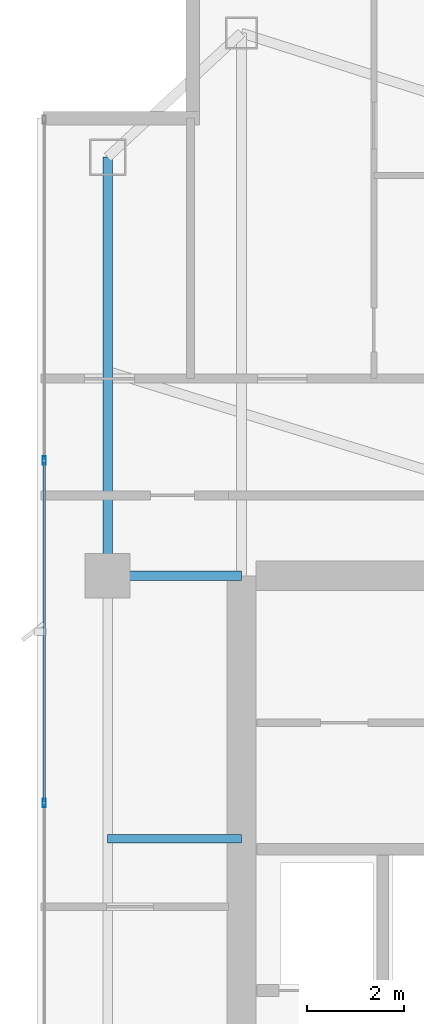
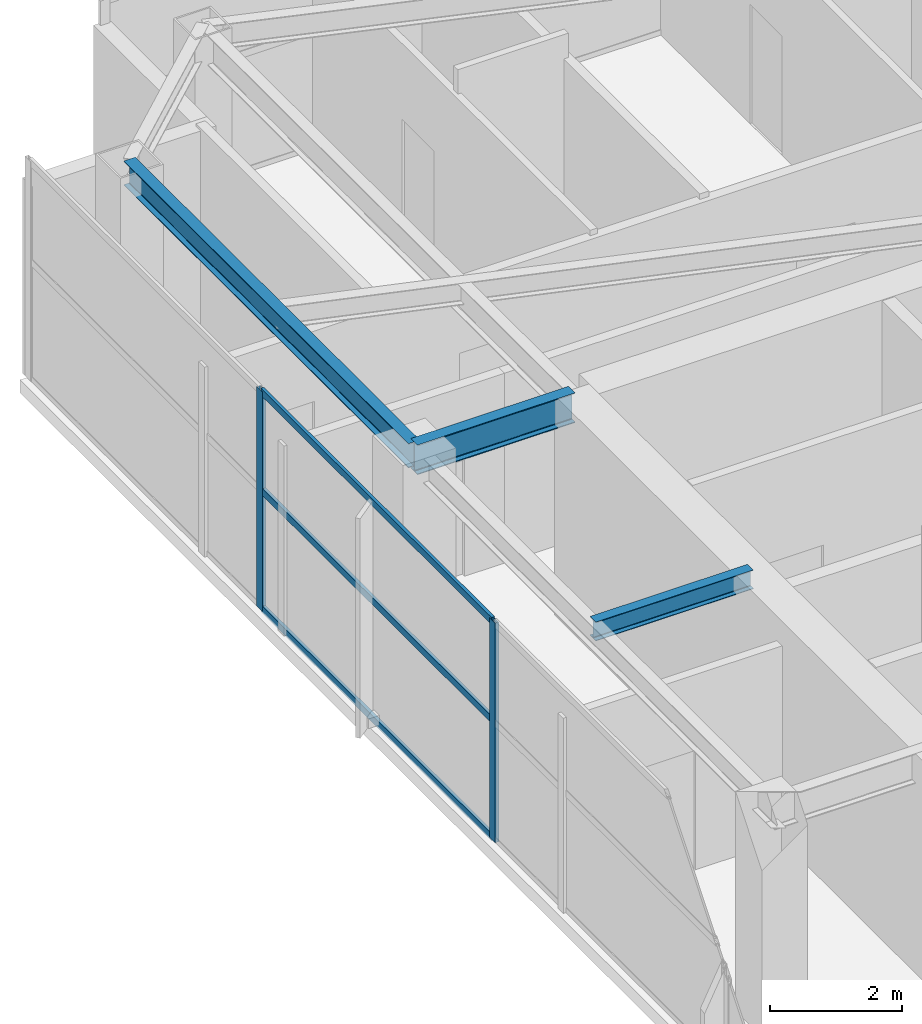
# One storey, part 15 of 26: 5 members, 3 beams, 1 element without a shape of its own.
"""IFC4 building model written with IfcOpenShell, lengths in metres."""

from ifc_helpers import new_model, si_unit, direction, frame, origin, origin_2d, place, context, subcontext, project, spatial, hollow_rectangle, i_section, extrude, material, layer, layer_set, material_profile, profile_set, type_object, element, aggregate, save


model = new_model("IFC4")

# Units and contexts
model_context = context("Model", 3, precision=1e-05, world=origin(), true_north=direction((0.0, 1.0)))
body_context = subcontext(model_context, "Body", "Model", "MODEL_VIEW")
ifc_project = project(units=[si_unit("LENGTHUNIT", "METRE"), si_unit("AREAUNIT", "SQUARE_METRE"), si_unit("VOLUMEUNIT", "CUBIC_METRE"), si_unit("PLANEANGLEUNIT", "RADIAN"), si_unit("MASSUNIT", "GRAM", prefix="KILO")], contexts=[model_context])

# Site, building, storey
site_placement = place(None, origin())
site = spatial("IfcSite", under=ifc_project, at=site_placement, CompositionType="ELEMENT")
building_placement = place(site_placement, origin())
building = spatial("IfcBuilding", under=site, at=building_placement, Name="Calvorn Quay Hotel", CompositionType="ELEMENT")
storey_placement = place(building_placement, frame((0.0, 0.0, 302.5)))
storey = spatial("IfcBuildingStorey", under=building, at=storey_placement, Name="L75", CompositionType="ELEMENT", Elevation=302.5)

# Beams
ifc_material_1 = material(Name="Steel Q355B", Category="steel")
ifc_material_profile_1 = material_profile(ifc_material_1, i_section(OverallWidth=0.199951171875, OverallDepth=0.550048828125, WebThickness=0.010009765625, FlangeThickness=0.01611328125, FilletRadius=0.01806640625, at=origin_2d()), Name="HN550x200x10x16")
ifc_profile_set_1 = profile_set([ifc_material_profile_1], Name="Steel Q355B")
beam_type_1 = type_object("IfcBeamType", Name="BM-GIRD-UPP", PredefinedType="BEAM", material=ifc_profile_set_1)
beam_1_placement = place(storey_placement, frame((1.449951171875, 38.39990234375, 3.77490234375), z_axis=(1.0, 0.0, 0.0), x_axis=(0.0, 1.0, 0.0)))
element("IfcBeam", 1, at=beam_1_placement, inside=storey, type_object=beam_type_1, Name="Beam BG-L75-W3", PredefinedType="BEAM", context=body_context, shape_type="SweptSolid", body=[
    extrude(i_section(OverallWidth=0.199951171875, OverallDepth=0.550048828125, WebThickness=0.010009765625, FlangeThickness=0.01611328125, FilletRadius=0.01806640625, at=origin_2d()), origin(), (0.0, 0.0, 1.0), 2.75),
])
ifc_material_2 = material(Name="Steel Q355B", Category="steel")
ifc_material_profile_2 = material_profile(ifc_material_2, i_section(OverallWidth=0.175048828125, OverallDepth=0.35009765625, WebThickness=0.007080078125, FlangeThickness=0.010986328125, FilletRadius=0.013916015625, at=origin_2d()), Name="HN350x175x7x11")
ifc_profile_set_2 = profile_set([ifc_material_profile_2], Name="Steel Q355B")
beam_type_2 = type_object("IfcBeamType", Name="BM-JOIST-SEC", PredefinedType="JOIST", material=ifc_profile_set_2)
beam_2_placement = place(storey_placement, frame((1.449951171875, 33.0, 3.875), z_axis=(1.0, 0.0, 0.0), x_axis=(0.0, 1.0, 0.0)))
element("IfcBeam", 2, at=beam_2_placement, inside=storey, type_object=beam_type_2, Name="Beam BJ-L75-W4", PredefinedType="JOIST", context=body_context, shape_type="SweptSolid", body=[
    extrude(i_section(OverallWidth=0.175048828125, OverallDepth=0.35009765625, WebThickness=0.007080078125, FlangeThickness=0.010986328125, FilletRadius=0.013916015625, at=origin_2d()), origin(), (0.0, 0.0, 1.0), 2.75),
])
ifc_material_3 = material(Name="Steel Q355B", Category="steel")
ifc_material_profile_3 = material_profile(ifc_material_3, i_section(OverallWidth=0.199951171875, OverallDepth=0.449951171875, WebThickness=0.009033203125, FlangeThickness=0.013916015625, FilletRadius=0.01611328125, at=origin_2d()), Name="HN450x200x9x14")
ifc_profile_set_3 = profile_set([ifc_material_profile_3], Name="Steel Q355B")
beam_type_3 = type_object("IfcBeamType", Name="BM-SPANDREL-Z3", PredefinedType="SPANDREL", material=ifc_profile_set_3)
beam_3_placement = place(storey_placement, frame((1.449951171875, 38.39990234375, 3.824951171875), z_axis=(0.0, 1.0, 0.0), x_axis=(-1.0, 0.0, 0.0)))
element("IfcBeam", 3, at=beam_3_placement, inside=storey, type_object=beam_type_3, Name="Beam BSP-L75-W4", PredefinedType="SPANDREL", context=body_context, shape_type="SweptSolid", body=[
    extrude(i_section(OverallWidth=0.199951171875, OverallDepth=0.449951171875, WebThickness=0.009033203125, FlangeThickness=0.013916015625, FilletRadius=0.01611328125, at=origin_2d()), origin(), (0.0, 0.0, 1.0), 8.60009765625),
])

# Curtain wall, members
ifc_material_4 = material(Name="Champagne Bronze Anodised Aluminium and Low-E Glass", Category="aluminium")
ifc_layer = layer(ifc_material_4, 0.219970703125)
ifc_layer_set = layer_set([ifc_layer], Name="CW-SYS-Z4")
curtain_wall_type = type_object("IfcCurtainWallType", Name="CW-SYS-Z4", PredefinedType="NOTDEFINED", material=ifc_layer_set)
curtain_wall_placement = place(storey_placement, origin())
curtain_wall = element("IfcCurtainWall", 4, at=curtain_wall_placement, inside=storey, type_object=curtain_wall_type, Name="Tower West Curtain Wall (L75)", PredefinedType="NOTDEFINED")
ifc_material_5 = material(Name="Champagne Bronze Anodised Aluminium 6063-T6", Category="aluminium")
ifc_material_profile_4 = material_profile(ifc_material_5, hollow_rectangle(XDim=0.06494140625, YDim=0.169921875, WallThickness=0.00341796875, at=origin_2d()), Name="ALU-M170x65x3.5")
ifc_profile_set_4 = profile_set([ifc_material_profile_4], Name="Champagne Bronze Anodised Aluminium 6063-T6")
member_type_1 = type_object("IfcMemberType", Name="CW-SYS-Z4-MUL", PredefinedType="MULLION", material=ifc_profile_set_4)
member_1_placement = place(storey_placement, frame((0.14990234375, 33.7333984375, 0.0), z_axis=(0.0, 0.0, 1.0), x_axis=(-1.0, 0.0, 0.0)))
member_1 = element("IfcMember", 5, at=member_1_placement, type_object=member_type_1, Name="CW-L75-W mullion 5", PredefinedType="MULLION", context=body_context, shape_type="SweptSolid", body=[
    extrude(hollow_rectangle(XDim=0.06494140625, YDim=0.169921875, WallThickness=0.00341796875, at=origin_2d()), origin(), (0.0, 0.0, 1.0), 4.050048828125),
])
member_2_placement = place(storey_placement, frame((0.14990234375, 40.7666015625, 0.0), z_axis=(0.0, 0.0, 1.0), x_axis=(-1.0, 0.0, 0.0)))
member_2 = element("IfcMember", 6, at=member_2_placement, type_object=member_type_1, Name="CW-L75-W mullion 6", PredefinedType="MULLION", context=body_context, shape_type="SweptSolid", body=[
    extrude(hollow_rectangle(XDim=0.06494140625, YDim=0.169921875, WallThickness=0.00341796875, at=origin_2d()), origin(), (0.0, 0.0, 1.0), 4.050048828125),
])
ifc_material_6 = material(Name="Champagne Bronze Anodised Aluminium 6063-T6", Category="aluminium")
ifc_material_profile_5 = material_profile(ifc_material_6, hollow_rectangle(XDim=0.054931640625, YDim=0.1298828125, WallThickness=0.003173828125, at=origin_2d()), Name="ALU-T130x55x3.2")
ifc_profile_set_5 = profile_set([ifc_material_profile_5], Name="Champagne Bronze Anodised Aluminium 6063-T6")
member_type_2 = type_object("IfcMemberType", Name="CW-SYS-Z4-TRN", PredefinedType="USERDEFINED", material=ifc_profile_set_5)
member_3_placement = place(storey_placement, frame((0.14990234375, 33.763427734375, 0.030029296875), z_axis=(0.0, 1.0, 0.0), x_axis=(-1.0, 0.0, 0.0)))
member_3 = element("IfcMember", 7, at=member_3_placement, type_object=member_type_2, Name="CW-L75-W transom 5.1", ObjectType="TRANSOM", PredefinedType="USERDEFINED", context=body_context, shape_type="SweptSolid", body=[
    extrude(hollow_rectangle(XDim=0.054931640625, YDim=0.1298828125, WallThickness=0.003173828125, at=origin_2d()), origin(), (0.0, 0.0, 1.0), 6.97314453125),
])
member_4_placement = place(storey_placement, frame((0.14990234375, 33.763427734375, 2.199951171875), z_axis=(0.0, 1.0, 0.0), x_axis=(-1.0, 0.0, 0.0)))
member_4 = element("IfcMember", 8, at=member_4_placement, type_object=member_type_2, Name="CW-L75-W transom 5.2", ObjectType="TRANSOM", PredefinedType="USERDEFINED", context=body_context, shape_type="SweptSolid", body=[
    extrude(hollow_rectangle(XDim=0.054931640625, YDim=0.1298828125, WallThickness=0.003173828125, at=origin_2d()), origin(), (0.0, 0.0, 1.0), 6.97314453125),
])
member_5_placement = place(storey_placement, frame((0.14990234375, 33.763427734375, 4.02001953125), z_axis=(0.0, 1.0, 0.0), x_axis=(-1.0, 0.0, 0.0)))
member_5 = element("IfcMember", 9, at=member_5_placement, type_object=member_type_2, Name="CW-L75-W transom 5.3", ObjectType="TRANSOM", PredefinedType="USERDEFINED", context=body_context, shape_type="SweptSolid", body=[
    extrude(hollow_rectangle(XDim=0.054931640625, YDim=0.1298828125, WallThickness=0.003173828125, at=origin_2d()), origin(), (0.0, 0.0, 1.0), 6.97314453125),
])
aggregate(curtain_wall, [member_1, member_2, member_3, member_4, member_5])

save(model, "model.ifc")
